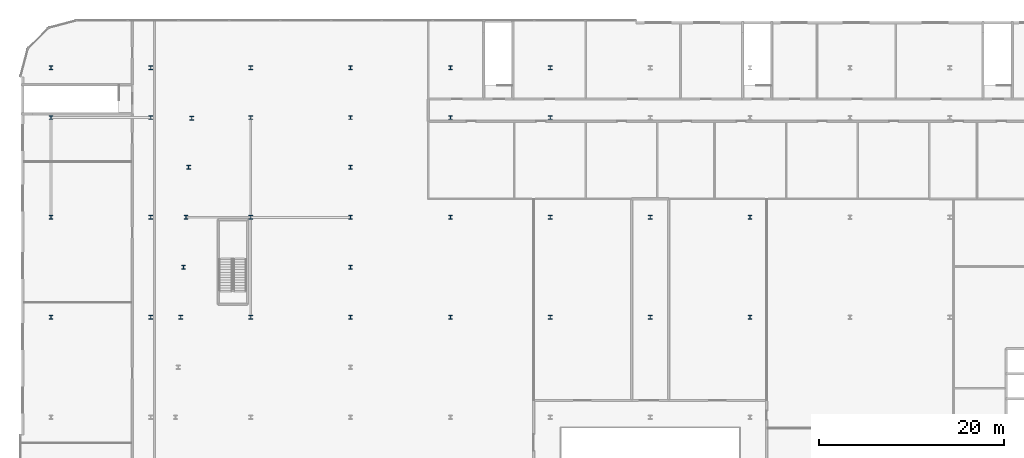
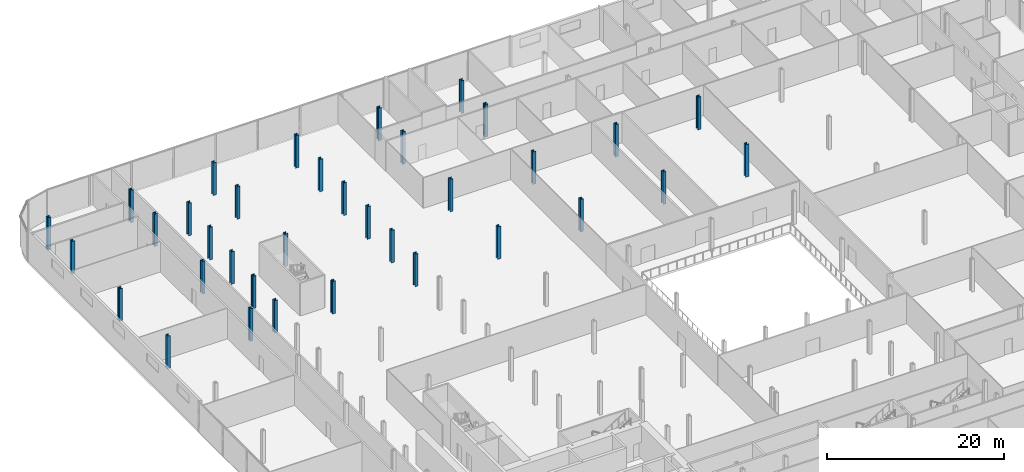
# One storey, part 4 of 43: 35 columns.
"""IFC4 building model written with IfcOpenShell, lengths in metres."""

from ifc_helpers import new_model, si_unit, direction, frame, origin, origin_2d, place, context, subcontext, project, spatial, i_section, extrude, material, material_profile, profile_set, type_object, element, save


model = new_model("IFC4")

# Units and contexts
model_context = context("Model", 3, precision=1e-05, world=origin(), true_north=direction((0.0, 1.0)))
body_context = subcontext(model_context, "Body", "Model", "MODEL_VIEW")
ifc_project = project(units=[si_unit("LENGTHUNIT", "METRE"), si_unit("AREAUNIT", "SQUARE_METRE"), si_unit("VOLUMEUNIT", "CUBIC_METRE"), si_unit("PLANEANGLEUNIT", "RADIAN"), si_unit("MASSUNIT", "GRAM", prefix="KILO")], contexts=[model_context])

# Site, building, storey
site_placement = place(None, origin())
site = spatial("IfcSite", under=ifc_project, at=site_placement, CompositionType="ELEMENT")
building_placement = place(site_placement, origin())
building = spatial("IfcBuilding", under=site, at=building_placement, Name="Kheshtan School and Residences Tower", CompositionType="ELEMENT")
storey_placement = place(building_placement, frame((0.0, 0.0, 26.0)))
storey = spatial("IfcBuildingStorey", under=building, at=storey_placement, Name="L05", CompositionType="ELEMENT", Elevation=26.0)

# Columns
ifc_material = material(Name="Steel ASTM A992 Grade 50", Category="steel")
ifc_material_profile = material_profile(ifc_material, i_section(OverallWidth=0.408935546875, OverallDepth=0.425048828125, WebThickness=0.03271484375, FlangeThickness=0.052490234375, FilletRadius=0.0126953125, at=origin_2d()), Name="W360x421")
ifc_profile_set = profile_set([ifc_material_profile], Name="Steel ASTM A992 Grade 50")
column_type = type_object("IfcColumnType", Name="Column PC2 W360x421 ASTM A992 Grade 50", PredefinedType="COLUMN", material=ifc_profile_set)
for number, where, z_axis, x_axis, name in (
    (1, (15.199951171875, 78.0, 0.0), (0.0, 0.0, 1.0), (1.0, 0.0, 0.0), "Column P-073"),
    (2, (26.0, 78.0, 0.0), (0.0, 0.0, 1.0), (1.0, 0.0, 0.0), "Column P-074"),
    (3, (36.800048828125, 78.0, 0.0), (0.0, 0.0, 1.0), (1.0, 0.0, 0.0), "Column P-075"),
    (4, (47.60009765625, 78.0, 0.0), (0.0, 0.0, 1.0), (1.0, 0.0, 0.0), "Column P-076"),
    (5, (58.39990234375, 78.0, 0.0), (0.0, 0.0, 1.0), (1.0, 0.0, 0.0), "Column P-077"),
    (6, (69.199951171875, 78.0, 0.0), (0.0, 0.0, 1.0), (1.0, 0.0, 0.0), "Column P-078"),
    (7, (80.0, 78.0, 0.0), (0.0, 0.0, 1.0), (1.0, 0.0, 0.0), "Column P-079"),
    (8, (90.800048828125, 78.0, 0.0), (0.0, 0.0, 1.0), (1.0, 0.0, 0.0), "Column P-080"),
    (9, (15.199951171875, 88.800048828125, 0.0), (0.0, 0.0, 1.0), (1.0, 0.0, 0.0), "Column P-085"),
    (10, (26.0, 88.800048828125, 0.0), (0.0, 0.0, 1.0), (1.0, 0.0, 0.0), "Column P-086"),
    (11, (36.800048828125, 88.800048828125, 0.0), (0.0, 0.0, 1.0), (1.0, 0.0, 0.0), "Column P-087"),
    (12, (47.60009765625, 88.800048828125, 0.0), (0.0, 0.0, 1.0), (1.0, 0.0, 0.0), "Column P-088"),
    (13, (58.39990234375, 88.800048828125, 0.0), (0.0, 0.0, 1.0), (1.0, 0.0, 0.0), "Column P-089"),
    (14, (69.199951171875, 88.800048828125, 0.0), (0.0, 0.0, 1.0), (1.0, 0.0, 0.0), "Column P-090"),
    (15, (80.0, 88.800048828125, 0.0), (0.0, 0.0, 1.0), (1.0, 0.0, 0.0), "Column P-091"),
    (16, (90.800048828125, 88.800048828125, 0.0), (0.0, 0.0, 1.0), (1.0, 0.0, 0.0), "Column P-092"),
    (17, (15.199951171875, 99.60009765625, 0.0), (0.0, 0.0, 1.0), (1.0, 0.0, 0.0), "Column P-097"),
    (18, (26.0, 99.60009765625, 0.0), (0.0, 0.0, 1.0), (1.0, 0.0, 0.0), "Column P-098"),
    (19, (36.800048828125, 99.60009765625, 0.0), (0.0, 0.0, 1.0), (1.0, 0.0, 0.0), "Column P-099"),
    (20, (47.60009765625, 99.60009765625, 0.0), (0.0, 0.0, 1.0), (1.0, 0.0, 0.0), "Column P-100"),
    (21, (58.39990234375, 99.60009765625, 0.0), (0.0, 0.0, 1.0), (1.0, 0.0, 0.0), "Column P-101"),
    (22, (69.199951171875, 99.60009765625, 0.0), (0.0, 0.0, 1.0), (1.0, 0.0, 0.0), "Column P-102"),
    (23, (15.199951171875, 105.0, 0.0), (0.0, 0.0, 1.0), (1.0, 0.0, 0.0), "Column P-109"),
    (24, (26.0, 105.0, 0.0), (0.0, 0.0, 1.0), (1.0, 0.0, 0.0), "Column P-110"),
    (25, (36.800048828125, 105.0, 0.0), (0.0, 0.0, 1.0), (1.0, 0.0, 0.0), "Column P-111"),
    (26, (47.60009765625, 105.0, 0.0), (0.0, 0.0, 1.0), (1.0, 0.0, 0.0), "Column P-112"),
    (27, (58.39990234375, 105.0, 0.0), (0.0, 0.0, 1.0), (1.0, 0.0, 0.0), "Column P-113"),
    (28, (69.199951171875, 105.0, 0.0), (0.0, 0.0, 1.0), (1.0, 0.0, 0.0), "Column P-114"),
    (29, (29.239990234375, 78.0, 0.0), (0.0, 0.0, 1.0), (1.0, 0.0, 0.0), "Transfer column X28"),
    (30, (29.530029296875, 83.39990234375, 0.0), (0.0, 0.0, 1.0), (1.0, 0.0, 0.0), "Transfer column X29"),
    (31, (47.60009765625, 83.39990234375, 0.0), (0.0, 0.0, 1.0), (1.0, 0.0, 0.0), "Transfer column X30"),
    (32, (29.81005859375, 88.800048828125, 0.0), (0.0, 0.0, 1.0), (1.0, 0.0, 0.0), "Transfer column X31"),
    (33, (30.090087890625, 94.199951171875, 0.0), (0.0, 0.0, 1.0), (1.0, 0.0, 0.0), "Transfer column X32"),
    (34, (47.60009765625, 94.199951171875, 0.0), (0.0, 0.0, 1.0), (1.0, 0.0, 0.0), "Transfer column X33"),
    (35, (30.419921875, 99.510009765625, 0.0), (0.0, 0.0, 1.0), (1.0, 0.0, 0.0), "Transfer column X34"),
):
    element("IfcColumn", number, at=place(storey_placement, frame(where, z_axis=z_axis, x_axis=x_axis)), inside=storey, type_object=column_type, Name=name, PredefinedType="COLUMN", context=body_context, shape_type="SweptSolid", body=[
        extrude(i_section(OverallWidth=0.408935546875, OverallDepth=0.425048828125, WebThickness=0.03271484375, FlangeThickness=0.052490234375, FilletRadius=0.0126953125, at=origin_2d()), origin(), (0.0, 0.0, 1.0), 4.5),
    ])

save(model, "model.ifc")
